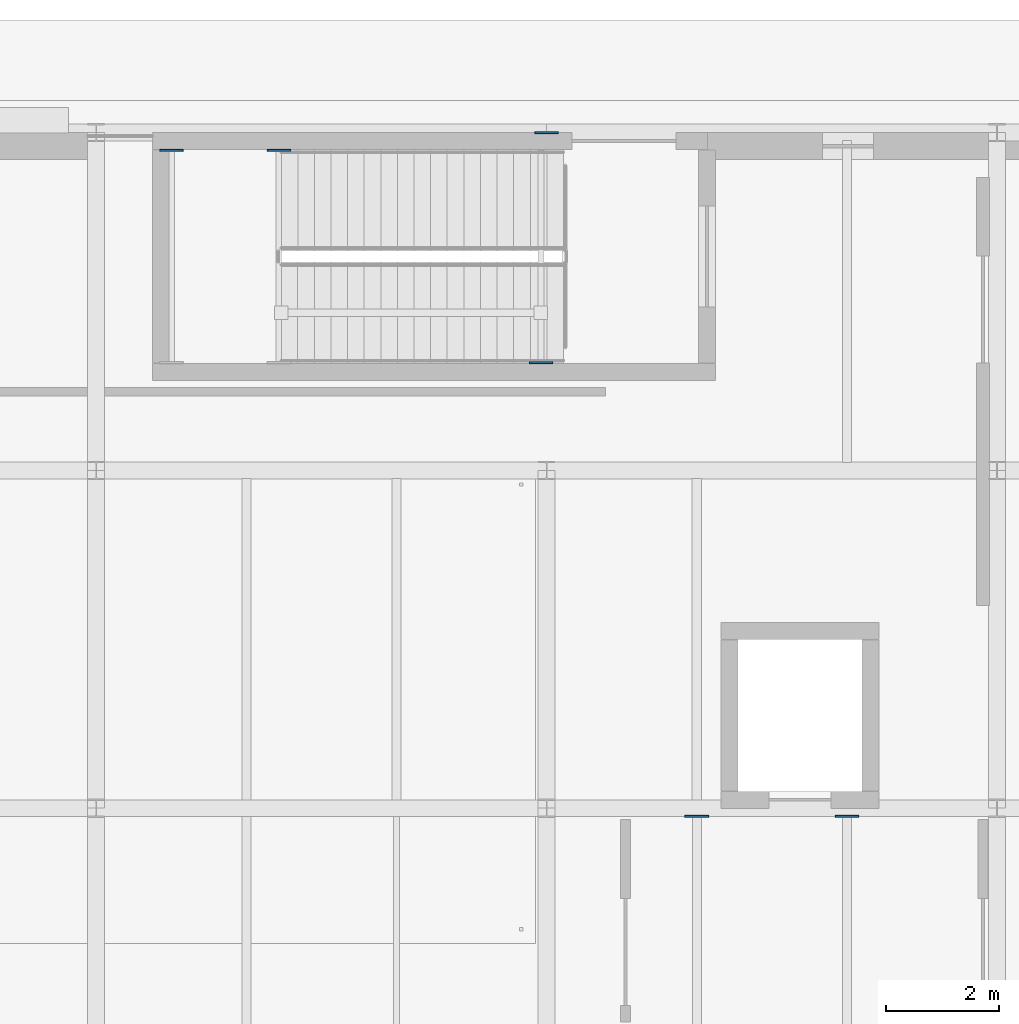
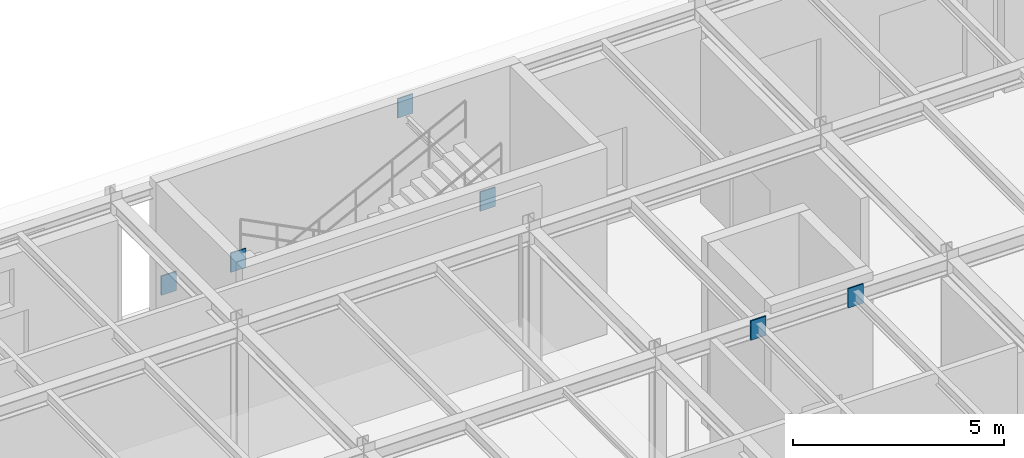
# One storey, part 69 of 129: 6 plates.
"""IFC4 building model written with IfcOpenShell, lengths in metres."""

from ifc_helpers import new_model, si_unit, direction, frame, origin, origin_2d, place, context, subcontext, project, spatial, rectangle, extrude, material, layer, layer_set, type_object, element, save


model = new_model("IFC4")

# Units and contexts
model_context = context("Model", 3, precision=1e-05, world=origin(), true_north=direction((0.0, 1.0)))
body_context = subcontext(model_context, "Body", "Model", "MODEL_VIEW")
ifc_project = project(units=[si_unit("LENGTHUNIT", "METRE"), si_unit("AREAUNIT", "SQUARE_METRE"), si_unit("VOLUMEUNIT", "CUBIC_METRE"), si_unit("PLANEANGLEUNIT", "RADIAN"), si_unit("MASSUNIT", "GRAM", prefix="KILO")], contexts=[model_context])

# Site, building, storey
site_placement = place(None, origin())
site = spatial("IfcSite", under=ifc_project, at=site_placement, CompositionType="ELEMENT")
building_placement = place(site_placement, origin())
building = spatial("IfcBuilding", under=site, at=building_placement, Name="Sundkrona Museum", CompositionType="ELEMENT")
storey_placement = place(building_placement, origin())
storey = spatial("IfcBuildingStorey", under=building, at=storey_placement, Name="L00", CompositionType="ELEMENT", Elevation=0.0)

# Plates
ifc_material = material(Name="Steel S355J2", Category="steel")
ifc_layer = layer(ifc_material, 0.034912109375)
ifc_layer_set = layer_set([ifc_layer], Name="Steel S355J2")
plate_type = type_object("IfcPlateType", Name="EP-1", PredefinedType="USERDEFINED", material=ifc_layer_set)
for number, where, z_axis, x_axis, name in (
    (1, (48.0, 114.0, 4.719970703125), (0.0, 0.0, 1.0), (1.0, 0.0, 0.0), "Core Wall Cast-In Embed Plate BM-L00-X-0602-2"),
    (2, (50.666748046875, 101.85595703125, 4.715087890625), (0.0, 0.0, 1.0), (1.0, 0.0, 0.0), "Core Wall Cast-In Embed Plate JS-L00-0363-2"),
    (3, (53.333251953125, 101.85595703125, 4.715087890625), (0.0, 0.0, 1.0), (1.0, 0.0, 0.0), "Core Wall Cast-In Embed Plate JS-L00-0364-2"),
    (4, (41.339599609375, 113.68994140625, 2.099853515625), (0.0, 0.0, 1.0), (1.0, 0.0, 0.0), "Core Wall Cast-In Embed Plate BM-STLD-ST-3-L00-1A-2"),
    (5, (43.245361328125, 113.68994140625, 2.099853515625), (0.0, 0.0, 1.0), (1.0, 0.0, 0.0), "Core Wall Cast-In Embed Plate BM-STLD-ST-3-L00-1B-2"),
    (6, (47.89990234375, 109.909912109375, 4.5341796875), (0.0, 0.0, 1.0), (1.0, 0.0, 0.0), "Core Wall Cast-In Embed Plate BM-STHD-ST-3-L00-2-1"),
):
    element("IfcPlate", number, at=place(storey_placement, frame(where, z_axis=z_axis, x_axis=x_axis)), inside=storey, type_object=plate_type, Name=name, ObjectType="GUSSET PLATE", PredefinedType="USERDEFINED", context=body_context, shape_type="SweptSolid", body=[
        extrude(rectangle(XDim=0.419921875, YDim=0.034912109375, at=origin_2d()), origin(), (0.0, 0.0, 1.0), 0.56005859375),
    ])

save(model, "model.ifc")
